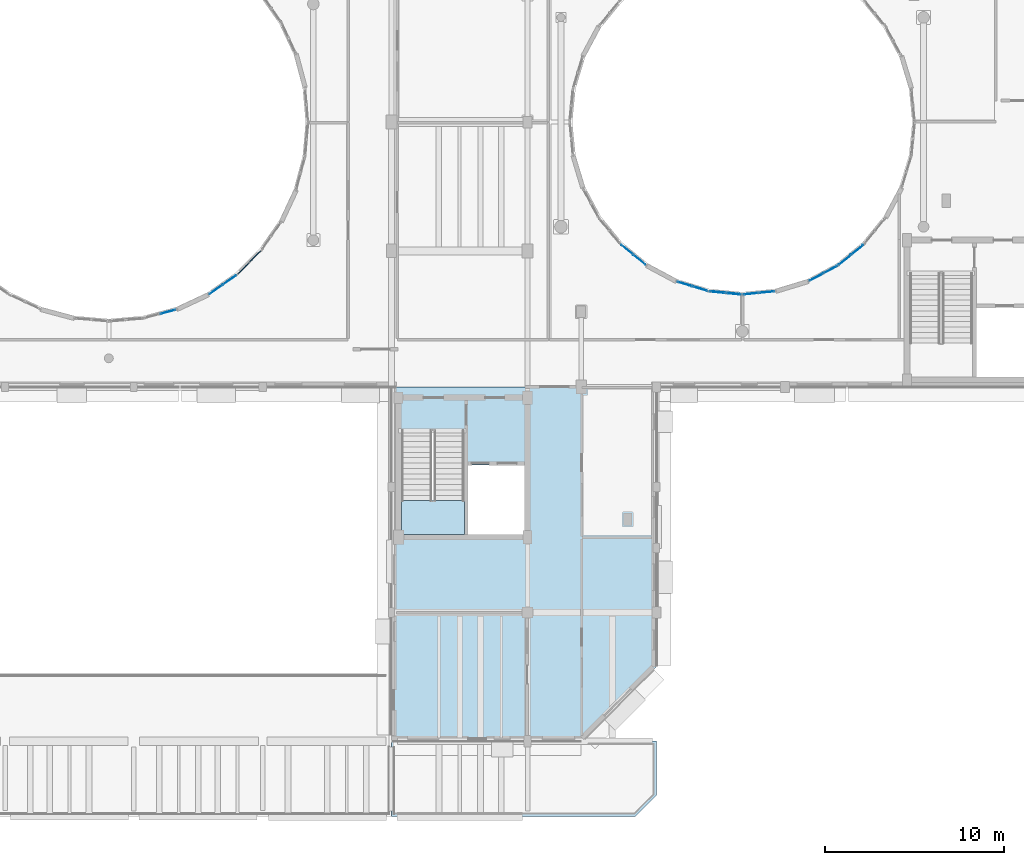
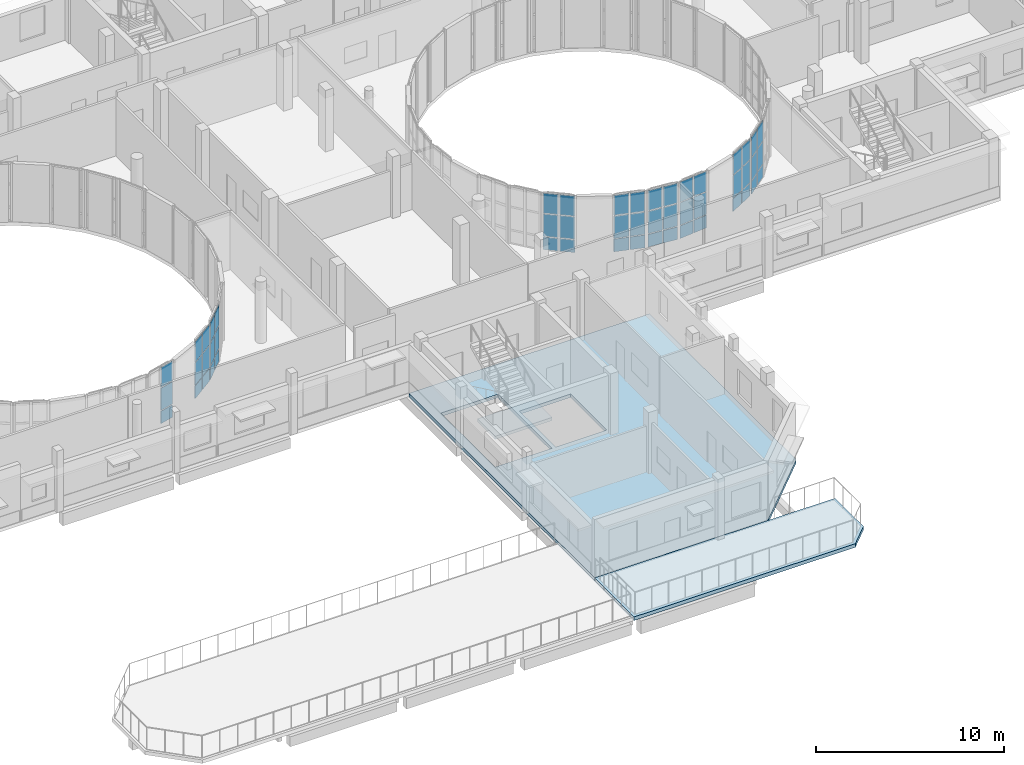
# One storey, part 56 of 92: 51 plates, 3 slabs, 10 elements without a shape of their own.
"""IFC4 building model written with IfcOpenShell, lengths in metres."""

import ifcopenshell
import ifcopenshell.guid

model = None  # the IFC model being written
_history = None  # IfcOwnerHistory: only IFC2X3 demands one
_inside = {}  # id of a spatial element -> (the spatial element, [elements in it])
_under = {}  # id of a project, library or spatial element -> (it, [spatial elements below it])
_declared = {}  # id of a project -> (the project, [libraries it declares])
_typed = {}  # id of a type object -> (the type object, [elements of that type])
_made_of = {}  # id of a material, layer set ... -> (it, [elements and type objects made of it])


def new_model(schema):
    """Start an empty IFC model of exactly this schema.

    Asked for "IFC4X3", IfcOpenShell would pick the latest addendum, in which some entities
    have other attributes; the version numbers below select the first issue.
    IFC2X3 requires an IfcOwnerHistory on every rooted entity: one is made here for all.
    """
    global model, _history
    if schema == "IFC4X3":
        model = ifcopenshell.file(schema_version=(4, 3, 0, 0))
    else:
        model = ifcopenshell.file(schema=schema)
    _inside.clear()
    _under.clear()
    _declared.clear()
    _typed.clear()
    _made_of.clear()
    _history = None
    if model.schema == "IFC2X3":
        org = make("IfcOrganization", Name="unknown")
        user = make(
            "IfcPersonAndOrganization",
            ThePerson=make("IfcPerson", FamilyName="unknown"),
            TheOrganization=org,
        )
        app = make(
            "IfcApplication",
            ApplicationDeveloper=org,
            Version="unknown",
            ApplicationFullName="unknown",
            ApplicationIdentifier="unknown",
        )
        _history = make(
            "IfcOwnerHistory",
            OwningUser=user,
            OwningApplication=app,
            ChangeAction="ADDED",
            CreationDate=0,
        )
    return model


def make(cls, **values):
    """One entity of the class cls with the attributes given. An attribute that is None is left unset."""
    return model.create_entity(
        cls, **{name: value for name, value in values.items() if value is not None}
    )


def rooted(cls, **values):
    """An entity with a GlobalId (a new one), such as an element, a storey or a relation."""
    return make(cls, GlobalId=ifcopenshell.guid.new(), OwnerHistory=_history, **values)


def si_unit(unit_type, name, prefix=None):
    """IfcSIUnit, for example si_unit("LENGTHUNIT", "METRE", prefix="MILLI")."""
    return make("IfcSIUnit", UnitType=unit_type, Prefix=prefix, Name=name)


def assignment(units):
    """IfcUnitAssignment: the units of a project."""
    return None if units is None else make("IfcUnitAssignment", Units=units)


def point(xyz):
    """IfcCartesianPoint."""
    return None if xyz is None else make("IfcCartesianPoint", Coordinates=xyz)


def direction(xyz):
    """IfcDirection."""
    return None if xyz is None else make("IfcDirection", DirectionRatios=xyz)


def frame(location, z_axis=None, x_axis=None):
    """IfcAxis2Placement3D, a coordinate frame: its origin and axes. An axis left out is left unset."""
    return make(
        "IfcAxis2Placement3D",
        Location=point(location),
        Axis=direction(z_axis),
        RefDirection=direction(x_axis),
    )


def frame_2d(location, x_axis=None):
    """IfcAxis2Placement2D, a coordinate frame in the plane: its origin and x axis."""
    return make(
        "IfcAxis2Placement2D", Location=point(location), RefDirection=direction(x_axis)
    )


def origin():
    """The frame at (0, 0, 0) with its axes left unset."""
    return frame((0.0, 0.0, 0.0))


def origin_2d():
    """The frame at (0, 0) in the plane with its x axis left unset."""
    return frame_2d((0.0, 0.0))


def place(relative_to, where):
    """IfcLocalPlacement: puts the frame where relative to a parent placement (None: the world)."""
    return make(
        "IfcLocalPlacement", PlacementRelTo=relative_to, RelativePlacement=where
    )


def context(
    kind, dimensions, precision=None, world=None, true_north=None, identifier=None
):
    """IfcGeometricRepresentationContext, for example the 3D "Model" context."""
    return make(
        "IfcGeometricRepresentationContext",
        ContextIdentifier=identifier,
        ContextType=kind,
        CoordinateSpaceDimension=dimensions,
        Precision=precision,
        WorldCoordinateSystem=world,
        TrueNorth=true_north,
    )


def subcontext(parent, identifier, kind, view, scale=None):
    """IfcGeometricRepresentationSubContext, for example "Body" below "Model"."""
    return make(
        "IfcGeometricRepresentationSubContext",
        ContextIdentifier=identifier,
        ContextType=kind,
        ParentContext=parent,
        TargetScale=scale,
        TargetView=view,
    )


def project(units=None, contexts=None):
    """IfcProject with its units and contexts."""
    return rooted(
        "IfcProject",
        Name="project",
        RepresentationContexts=contexts,
        UnitsInContext=assignment(units),
    )


def spatial(cls, under=None, at=None, **own):
    """A site, building, storey or space (cls), placed at a placement, below another one or the project."""
    s = rooted(cls, ObjectPlacement=at, **own)
    if under is not None:
        _under.setdefault(under.id(), (under, []))[1].append(s)
    return s


def polyline(points):
    """IfcPolyline through the points."""
    return make("IfcPolyline", Points=[point(p) for p in points])


def profile(cls, at=None, kind="AREA", **sizes):
    """A parametric profile (cls). Its sizes go by their IFC names, for example OverallWidth=200.0."""
    return make(cls, ProfileType=kind, Position=at, **sizes)


def rectangle(**sizes):
    """IfcRectangleProfileDef."""
    return profile("IfcRectangleProfileDef", **sizes)


def outline(outer, holes=None, kind="AREA"):
    """IfcArbitraryClosedProfileDef: a profile drawn as a closed curve; with holes, ...WithVoids."""
    if holes is None:
        return make("IfcArbitraryClosedProfileDef", ProfileType=kind, OuterCurve=outer)
    return make(
        "IfcArbitraryProfileDefWithVoids",
        ProfileType=kind,
        OuterCurve=outer,
        InnerCurves=holes,
    )


def extrude(swept, where, along, depth):
    """IfcExtrudedAreaSolid: the profile swept, set in the frame where, extruded along a direction by depth."""
    return make(
        "IfcExtrudedAreaSolid",
        SweptArea=swept,
        Position=where,
        ExtrudedDirection=direction(along),
        Depth=depth,
    )


def shape(context_of_items, identifier, shape_type, items):
    """IfcShapeRepresentation: the items that make up one representation, for example the "Body"."""
    return make(
        "IfcShapeRepresentation",
        ContextOfItems=context_of_items,
        RepresentationIdentifier=identifier,
        RepresentationType=shape_type,
        Items=items,
    )


def material(Name=None, Category=None):
    """IfcMaterial."""
    return make("IfcMaterial", Name=Name, Category=Category)


def layer(
    of_material, thickness, ventilated=None, Name=None, Category=None, Priority=None
):
    """IfcMaterialLayer: one layer of a wall or slab, of a material (None: an air gap)."""
    return make(
        "IfcMaterialLayer",
        Material=of_material,
        LayerThickness=thickness,
        IsVentilated=ventilated,
        Name=Name,
        Category=Category,
        Priority=Priority,
    )


def layer_set(layers, Name=None):
    """IfcMaterialLayerSet."""
    return make("IfcMaterialLayerSet", MaterialLayers=layers, LayerSetName=Name)


def made_of(thing, what):
    """Note that an element or type object is made of a material, layer set ...; save() writes the relation."""
    if what is not None:
        _made_of.setdefault(what.id(), (what, []))[1].append(thing)
    return thing


def type_object(cls, material=None, **own):
    """A type object (cls), such as IfcWallType, which elements share."""
    return made_of(rooted(cls, **own), material)


def element(
    cls,
    number,
    at=None,
    inside=None,
    cuts=None,
    type_object=None,
    material=None,
    context=None,
    identifier="Body",
    shape_type=None,
    held_by="IfcProductDefinitionShape",
    body=None,
    shapes=None,
    **own,
):
    """One element of the class cls, such as IfcWall. Its Tag is "e" and its number.

    at: its placement. inside: the storey or other place that contains it. cuts: it is an
    opening in that element (IfcRelVoidsElement). A single representation is given by context,
    identifier, shape_type and body (its items); several are given by shapes. held_by: the class
    of the entity that holds the representations. save() writes the other relations.
    """
    e = rooted(cls, Tag="e%d" % number, ObjectPlacement=at, **own)
    if body is not None:
        shapes = [shape(context, identifier, shape_type, body)]
    if shapes is not None:
        e.Representation = make(held_by, Representations=shapes)
    if inside is not None:
        _inside.setdefault(inside.id(), (inside, []))[1].append(e)
    if cuts is not None:
        rooted(
            "IfcRelVoidsElement", RelatingBuildingElement=cuts, RelatedOpeningElement=e
        )
    if type_object is not None:
        _typed.setdefault(type_object.id(), (type_object, []))[1].append(e)
    return made_of(e, material)


def aggregate(whole, parts):
    """IfcRelAggregates: a whole, such as a stair, and the parts it consists of."""
    return rooted("IfcRelAggregates", RelatingObject=whole, RelatedObjects=parts)


def save(model, path):
    """Write the relations noted so far, then the file.

    IfcRelAggregates (storeys below a building ...), IfcRelContainedInSpatialStructure (elements
    in a storey), IfcRelDefinesByType, IfcRelAssociatesMaterial and IfcRelDeclares: one each for
    every whole, place, type object, material and project.
    """
    for whole, parts in _under.values():
        aggregate(whole, parts)
    for where, things in _inside.values():
        rooted(
            "IfcRelContainedInSpatialStructure",
            RelatedElements=things,
            RelatingStructure=where,
        )
    for kind, things in _typed.values():
        rooted("IfcRelDefinesByType", RelatedObjects=things, RelatingType=kind)
    for what, things in _made_of.values():
        rooted("IfcRelAssociatesMaterial", RelatedObjects=things, RelatingMaterial=what)
    for by, libraries in _declared.values():
        rooted("IfcRelDeclares", RelatingContext=by, RelatedDefinitions=libraries)
    model.write(path)


model = new_model("IFC4")

# Units and contexts
model_context = context("Model", 3, precision=1e-05, world=origin(), true_north=direction((0.0, 1.0)))
body_context = subcontext(model_context, "Body", "Model", "MODEL_VIEW")
ifc_project = project(units=[si_unit("LENGTHUNIT", "METRE"), si_unit("AREAUNIT", "SQUARE_METRE"), si_unit("VOLUMEUNIT", "CUBIC_METRE"), si_unit("PLANEANGLEUNIT", "RADIAN"), si_unit("MASSUNIT", "GRAM", prefix="KILO")], contexts=[model_context])

# Site, building, storey
site_placement = place(None, origin())
site = spatial("IfcSite", under=ifc_project, at=site_placement, CompositionType="ELEMENT")
building_placement = place(site_placement, origin())
building = spatial("IfcBuilding", under=site, at=building_placement, Name="Kelanivale Promenade Academy", CompositionType="ELEMENT")
storey_placement = place(building_placement, frame((0.0, 0.0, 8.199951171875)))
storey = spatial("IfcBuildingStorey", under=building, at=storey_placement, Name="L02", CompositionType="ELEMENT", Elevation=8.199951171875)

# Curtain wall, plates
ifc_material_1 = material(Name="Bronze anodised aluminium and solar-control low-E glass", Category="aluminium")
ifc_layer_1 = layer(ifc_material_1, 0.169921875)
ifc_layer_set_1 = layer_set([ifc_layer_1], Name="Bronze anodised aluminium and solar-control low-E glass")
curtain_wall_type_1 = type_object("IfcCurtainWallType", Name="CW-22 Curtain Wall 1800mm Module", PredefinedType="USERDEFINED", material=ifc_layer_set_1)
curtain_wall_1_placement = place(storey_placement, origin())
curtain_wall_1 = element("IfcCurtainWall", 1, at=curtain_wall_1_placement, inside=storey, type_object=curtain_wall_type_1, Name="L02 courtyard curtain wall CW-22", ObjectType="COURTYARD SCREEN GLAZING", PredefinedType="USERDEFINED")
ifc_material_2 = material(Name="Solar-control double glazing 28 mm", Category="glass")
ifc_layer_2 = layer(ifc_material_2, 0.028076171875)
ifc_layer_set_2 = layer_set([ifc_layer_2], Name="Solar-control double glazing 28 mm")
plate_type_1 = type_object("IfcPlateType", Name="CWP-01 Plate 28mm", PredefinedType="CURTAIN_PANEL", material=ifc_layer_set_2)
plate_1_placement = place(storey_placement, frame((92.361572265625, 49.671630859375, 0.05029296875), z_axis=(0.0, 0.0, 1.0), x_axis=(0.773257170269, -0.634092539482, 0.0)))
plate_1 = element("IfcPlate", 2, at=plate_1_placement, type_object=plate_type_1, Name="CW-22 panel 1.1", PredefinedType="CURTAIN_PANEL", context=body_context, shape_type="SweptSolid", body=[
    extrude(rectangle(XDim=0.833251953125, YDim=0.028076171875, at=origin_2d()), origin(), (0.0, 0.0, 1.0), 0.824951171875),
])
plate_2_placement = place(storey_placement, frame((92.361572265625, 49.671630859375, 0.92529296875), z_axis=(0.0, 0.0, 1.0), x_axis=(0.773257170269, -0.634092539482, 0.0)))
plate_2 = element("IfcPlate", 3, at=plate_2_placement, type_object=plate_type_1, Name="CW-22 panel 1.2", PredefinedType="CURTAIN_PANEL", context=body_context, shape_type="SweptSolid", body=[
    extrude(rectangle(XDim=0.833251953125, YDim=0.028076171875, at=origin_2d()), origin(), (0.0, 0.0, 1.0), 1.449951171875),
])
plate_3_placement = place(storey_placement, frame((92.361572265625, 49.671630859375, 2.42529296875), z_axis=(0.0, 0.0, 1.0), x_axis=(0.773257170269, -0.634092539482, 0.0)))
plate_3 = element("IfcPlate", 4, at=plate_3_placement, type_object=plate_type_1, Name="CW-22 panel 1.3", PredefinedType="CURTAIN_PANEL", context=body_context, shape_type="SweptSolid", body=[
    extrude(rectangle(XDim=0.833251953125, YDim=0.028076171875, at=origin_2d()), origin(), (0.0, 0.0, 1.0), 1.304931640625),
])
plate_4_placement = place(storey_placement, frame((93.052490234375, 49.105224609375, 0.05029296875), z_axis=(0.0, 0.0, 1.0), x_axis=(0.773257170269, -0.634092539482, 0.0)))
plate_4 = element("IfcPlate", 5, at=plate_4_placement, type_object=plate_type_1, Name="CW-22 panel 2.1", PredefinedType="CURTAIN_PANEL", context=body_context, shape_type="SweptSolid", body=[
    extrude(rectangle(XDim=0.833251953125, YDim=0.028076171875, at=origin_2d()), origin(), (0.0, 0.0, 1.0), 0.824951171875),
])
plate_5_placement = place(storey_placement, frame((93.052490234375, 49.105224609375, 0.92529296875), z_axis=(0.0, 0.0, 1.0), x_axis=(0.773257170269, -0.634092539482, 0.0)))
plate_5 = element("IfcPlate", 6, at=plate_5_placement, type_object=plate_type_1, Name="CW-22 panel 2.2", PredefinedType="CURTAIN_PANEL", context=body_context, shape_type="SweptSolid", body=[
    extrude(rectangle(XDim=0.833251953125, YDim=0.028076171875, at=origin_2d()), origin(), (0.0, 0.0, 1.0), 1.449951171875),
])
plate_6_placement = place(storey_placement, frame((93.052490234375, 49.105224609375, 2.42529296875), z_axis=(0.0, 0.0, 1.0), x_axis=(0.773257170269, -0.634092539482, 0.0)))
plate_6 = element("IfcPlate", 7, at=plate_6_placement, type_object=plate_type_1, Name="CW-22 panel 2.3", PredefinedType="CURTAIN_PANEL", context=body_context, shape_type="SweptSolid", body=[
    extrude(rectangle(XDim=0.833251953125, YDim=0.028076171875, at=origin_2d()), origin(), (0.0, 0.0, 1.0), 1.304931640625),
])
aggregate(curtain_wall_1, [plate_1, plate_2, plate_3, plate_4, plate_5, plate_6])

ifc_layer_3 = layer(ifc_material_1, 0.169921875)
ifc_layer_set_3 = layer_set([ifc_layer_3], Name="Bronze anodised aluminium and solar-control low-E glass")
curtain_wall_type_2 = type_object("IfcCurtainWallType", Name="CW-01 Curtain Wall 1350mm Module", PredefinedType="USERDEFINED", material=ifc_layer_set_3)
curtain_wall_2_placement = place(storey_placement, origin())
curtain_wall_2 = element("IfcCurtainWall", 8, at=curtain_wall_2_placement, inside=storey, type_object=curtain_wall_type_2, Name="L02 courtyard curtain wall CW-01", ObjectType="UNITISED GLAZING", PredefinedType="USERDEFINED")
plate_7_placement = place(storey_placement, frame((99.288330078125, 47.2080078125, 0.05029296875), z_axis=(0.0, 0.0, 1.0), x_axis=(0.99513321337, 0.098538762159, 0.0)))
plate_7 = element("IfcPlate", 9, at=plate_7_placement, type_object=plate_type_1, Name="CW-01 panel 1.1", PredefinedType="CURTAIN_PANEL", context=body_context, shape_type="SweptSolid", body=[
    extrude(rectangle(XDim=0.83349609375, YDim=0.028076171875, at=origin_2d()), origin(), (0.0, 0.0, 1.0), 0.824951171875),
])
plate_8_placement = place(storey_placement, frame((99.288330078125, 47.2080078125, 0.92529296875), z_axis=(0.0, 0.0, 1.0), x_axis=(0.99513321337, 0.098538762159, 0.0)))
plate_8 = element("IfcPlate", 10, at=plate_8_placement, type_object=plate_type_1, Name="CW-01 panel 1.2", PredefinedType="CURTAIN_PANEL", context=body_context, shape_type="SweptSolid", body=[
    extrude(rectangle(XDim=0.83349609375, YDim=0.028076171875, at=origin_2d()), origin(), (0.0, 0.0, 1.0), 1.449951171875),
])
plate_9_placement = place(storey_placement, frame((99.288330078125, 47.2080078125, 2.42529296875), z_axis=(0.0, 0.0, 1.0), x_axis=(0.99513321337, 0.098538762159, 0.0)))
plate_9 = element("IfcPlate", 11, at=plate_9_placement, type_object=plate_type_1, Name="CW-01 panel 1.3", PredefinedType="CURTAIN_PANEL", context=body_context, shape_type="SweptSolid", body=[
    extrude(rectangle(XDim=0.83349609375, YDim=0.028076171875, at=origin_2d()), origin(), (0.0, 0.0, 1.0), 1.304931640625),
])
plate_10_placement = place(storey_placement, frame((100.177490234375, 47.296142578125, 0.05029296875), z_axis=(0.0, 0.0, 1.0), x_axis=(0.99513321337, 0.098538762159, 0.0)))
plate_10 = element("IfcPlate", 12, at=plate_10_placement, type_object=plate_type_1, Name="CW-01 panel 2.1", PredefinedType="CURTAIN_PANEL", context=body_context, shape_type="SweptSolid", body=[
    extrude(rectangle(XDim=0.83349609375, YDim=0.028076171875, at=origin_2d()), origin(), (0.0, 0.0, 1.0), 0.824951171875),
])
plate_11_placement = place(storey_placement, frame((100.177490234375, 47.296142578125, 0.92529296875), z_axis=(0.0, 0.0, 1.0), x_axis=(0.99513321337, 0.098538762159, 0.0)))
plate_11 = element("IfcPlate", 13, at=plate_11_placement, type_object=plate_type_1, Name="CW-01 panel 2.2", PredefinedType="CURTAIN_PANEL", context=body_context, shape_type="SweptSolid", body=[
    extrude(rectangle(XDim=0.83349609375, YDim=0.028076171875, at=origin_2d()), origin(), (0.0, 0.0, 1.0), 1.449951171875),
])
plate_12_placement = place(storey_placement, frame((100.177490234375, 47.296142578125, 2.42529296875), z_axis=(0.0, 0.0, 1.0), x_axis=(0.99513321337, 0.098538762159, 0.0)))
plate_12 = element("IfcPlate", 14, at=plate_12_placement, type_object=plate_type_1, Name="CW-01 panel 2.3", PredefinedType="CURTAIN_PANEL", context=body_context, shape_type="SweptSolid", body=[
    extrude(rectangle(XDim=0.83349609375, YDim=0.028076171875, at=origin_2d()), origin(), (0.0, 0.0, 1.0), 1.304931640625),
])
aggregate(curtain_wall_2, [plate_7, plate_8, plate_9, plate_10, plate_11, plate_12])

ifc_layer_4 = layer(ifc_material_1, 0.169921875)
ifc_layer_set_4 = layer_set([ifc_layer_4], Name="Bronze anodised aluminium and solar-control low-E glass")
curtain_wall_type_3 = type_object("IfcCurtainWallType", Name="CW-04 Curtain Wall 1800mm Module", PredefinedType="USERDEFINED", material=ifc_layer_set_4)
curtain_wall_3_placement = place(storey_placement, origin())
curtain_wall_3 = element("IfcCurtainWall", 15, at=curtain_wall_3_placement, inside=storey, type_object=curtain_wall_type_3, Name="L02 courtyard curtain wall CW-04", ObjectType="UNITISED GLAZING", PredefinedType="USERDEFINED")
plate_13_placement = place(storey_placement, frame((66.708740234375, 46.19677734375, 0.06005859375), z_axis=(0.0, 0.0, 1.0), x_axis=(0.965990259056, 0.258578458902, 0.0)))
plate_13 = element("IfcPlate", 16, at=plate_13_placement, type_object=plate_type_1, Name="CW-04 panel 2.1", PredefinedType="CURTAIN_PANEL", context=body_context, shape_type="SweptSolid", body=[
    extrude(rectangle(XDim=0.853759765625, YDim=0.028076171875, at=origin_2d()), origin(), (0.0, 0.0, 1.0), 0.81005859375),
])
plate_14_placement = place(storey_placement, frame((66.708740234375, 46.19677734375, 0.93017578125), z_axis=(0.0, 0.0, 1.0), x_axis=(0.965990259056, 0.258578458902, 0.0)))
plate_14 = element("IfcPlate", 17, at=plate_14_placement, type_object=plate_type_1, Name="CW-04 panel 2.2", PredefinedType="CURTAIN_PANEL", context=body_context, shape_type="SweptSolid", body=[
    extrude(rectangle(XDim=0.853759765625, YDim=0.028076171875, at=origin_2d()), origin(), (0.0, 0.0, 1.0), 1.43994140625),
])
plate_15_placement = place(storey_placement, frame((66.708740234375, 46.19677734375, 2.429931640625), z_axis=(0.0, 0.0, 1.0), x_axis=(0.965990259056, 0.258578458902, 0.0)))
plate_15 = element("IfcPlate", 18, at=plate_15_placement, type_object=plate_type_1, Name="CW-04 panel 2.3", PredefinedType="CURTAIN_PANEL", context=body_context, shape_type="SweptSolid", body=[
    extrude(rectangle(XDim=0.853759765625, YDim=0.028076171875, at=origin_2d()), origin(), (0.0, 0.0, 1.0), 1.2900390625),
])
aggregate(curtain_wall_3, [plate_13, plate_14, plate_15])

ifc_layer_5 = layer(ifc_material_1, 0.179931640625)
ifc_layer_set_5 = layer_set([ifc_layer_5], Name="Bronze anodised aluminium and solar-control low-E glass")
curtain_wall_type_4 = type_object("IfcCurtainWallType", Name="CW-23 Curtain Wall 1950mm Module", PredefinedType="USERDEFINED", material=ifc_layer_set_5)
curtain_wall_4_placement = place(storey_placement, origin())
curtain_wall_4 = element("IfcCurtainWall", 19, at=curtain_wall_4_placement, inside=storey, type_object=curtain_wall_type_4, Name="L02 courtyard curtain wall CW-23", ObjectType="COURTYARD SCREEN GLAZING", PredefinedType="USERDEFINED")
ifc_material_3 = material(Name="Acoustic laminated double glazing 36 mm", Category="glass")
ifc_layer_6 = layer(ifc_material_3, 0.035888671875)
ifc_layer_set_6 = layer_set([ifc_layer_6], Name="Acoustic laminated double glazing 36 mm")
plate_type_2 = type_object("IfcPlateType", Name="CWP-02 Plate 36mm", PredefinedType="CURTAIN_PANEL", material=ifc_layer_set_6)
plate_16_placement = place(storey_placement, frame((95.595458984375, 47.746337890625, 0.05029296875), z_axis=(0.0, 0.0, 1.0), x_axis=(0.956987977524, -0.290127576893, 0.0)))
plate_16 = element("IfcPlate", 20, at=plate_16_placement, type_object=plate_type_2, Name="CW-23 panel 1.1", PredefinedType="CURTAIN_PANEL", context=body_context, shape_type="SweptSolid", body=[
    extrude(rectangle(XDim=0.826171875, YDim=0.035888671875, at=origin_2d()), origin(), (0.0, 0.0, 1.0), 0.824951171875),
])
plate_17_placement = place(storey_placement, frame((95.595458984375, 47.746337890625, 0.92529296875), z_axis=(0.0, 0.0, 1.0), x_axis=(0.956987977524, -0.290127576893, 0.0)))
plate_17 = element("IfcPlate", 21, at=plate_17_placement, type_object=plate_type_2, Name="CW-23 panel 1.2", PredefinedType="CURTAIN_PANEL", context=body_context, shape_type="SweptSolid", body=[
    extrude(rectangle(XDim=0.826171875, YDim=0.035888671875, at=origin_2d()), origin(), (0.0, 0.0, 1.0), 1.449951171875),
])
plate_18_placement = place(storey_placement, frame((95.595458984375, 47.746337890625, 2.42529296875), z_axis=(0.0, 0.0, 1.0), x_axis=(0.956987977524, -0.290127576893, 0.0)))
plate_18 = element("IfcPlate", 22, at=plate_18_placement, type_object=plate_type_2, Name="CW-23 panel 1.3", PredefinedType="CURTAIN_PANEL", context=body_context, shape_type="SweptSolid", body=[
    extrude(rectangle(XDim=0.826171875, YDim=0.035888671875, at=origin_2d()), origin(), (0.0, 0.0, 1.0), 1.304931640625),
])
plate_19_placement = place(storey_placement, frame((96.448486328125, 47.48779296875, 0.05029296875), z_axis=(0.0, 0.0, 1.0), x_axis=(0.956987977524, -0.290127576893, 0.0)))
plate_19 = element("IfcPlate", 23, at=plate_19_placement, type_object=plate_type_2, Name="CW-23 panel 2.1", PredefinedType="CURTAIN_PANEL", context=body_context, shape_type="SweptSolid", body=[
    extrude(rectangle(XDim=0.826171875, YDim=0.035888671875, at=origin_2d()), origin(), (0.0, 0.0, 1.0), 0.824951171875),
])
plate_20_placement = place(storey_placement, frame((96.448486328125, 47.48779296875, 0.92529296875), z_axis=(0.0, 0.0, 1.0), x_axis=(0.956987977524, -0.290127576893, 0.0)))
plate_20 = element("IfcPlate", 24, at=plate_20_placement, type_object=plate_type_2, Name="CW-23 panel 2.2", PredefinedType="CURTAIN_PANEL", context=body_context, shape_type="SweptSolid", body=[
    extrude(rectangle(XDim=0.826171875, YDim=0.035888671875, at=origin_2d()), origin(), (0.0, 0.0, 1.0), 1.449951171875),
])
plate_21_placement = place(storey_placement, frame((96.448486328125, 47.48779296875, 2.42529296875), z_axis=(0.0, 0.0, 1.0), x_axis=(0.956987977524, -0.290127576893, 0.0)))
plate_21 = element("IfcPlate", 25, at=plate_21_placement, type_object=plate_type_2, Name="CW-23 panel 2.3", PredefinedType="CURTAIN_PANEL", context=body_context, shape_type="SweptSolid", body=[
    extrude(rectangle(XDim=0.826171875, YDim=0.035888671875, at=origin_2d()), origin(), (0.0, 0.0, 1.0), 1.304931640625),
])
aggregate(curtain_wall_4, [plate_16, plate_17, plate_18, plate_19, plate_20, plate_21])

ifc_layer_7 = layer(ifc_material_1, 0.179931640625)
ifc_layer_set_7 = layer_set([ifc_layer_7], Name="Bronze anodised aluminium and solar-control low-E glass")
curtain_wall_type_5 = type_object("IfcCurtainWallType", Name="CW-02 Curtain Wall 1500mm Module", PredefinedType="USERDEFINED", material=ifc_layer_set_7)
curtain_wall_5_placement = place(storey_placement, origin())
curtain_wall_5 = element("IfcCurtainWall", 26, at=curtain_wall_5_placement, inside=storey, type_object=curtain_wall_type_5, Name="L02 courtyard curtain wall CW-02", ObjectType="UNITISED GLAZING", PredefinedType="USERDEFINED")
plate_22_placement = place(storey_placement, frame((102.934814453125, 48.1318359375, 0.05029296875), z_axis=(0.0, 0.0, 1.0), x_axis=(0.881978204448, 0.471290193914, 0.0)))
plate_22 = element("IfcPlate", 27, at=plate_22_placement, type_object=plate_type_2, Name="CW-02 panel 1.1", PredefinedType="CURTAIN_PANEL", context=body_context, shape_type="SweptSolid", body=[
    extrude(rectangle(XDim=0.833984375, YDim=0.035888671875, at=origin_2d()), origin(), (0.0, 0.0, 1.0), 0.824951171875),
])
plate_23_placement = place(storey_placement, frame((102.934814453125, 48.1318359375, 0.92529296875), z_axis=(0.0, 0.0, 1.0), x_axis=(0.881978204448, 0.471290193914, 0.0)))
plate_23 = element("IfcPlate", 28, at=plate_23_placement, type_object=plate_type_2, Name="CW-02 panel 1.2", PredefinedType="CURTAIN_PANEL", context=body_context, shape_type="SweptSolid", body=[
    extrude(rectangle(XDim=0.833984375, YDim=0.035888671875, at=origin_2d()), origin(), (0.0, 0.0, 1.0), 1.449951171875),
])
plate_24_placement = place(storey_placement, frame((102.934814453125, 48.1318359375, 2.42529296875), z_axis=(0.0, 0.0, 1.0), x_axis=(0.881978204448, 0.471290193914, 0.0)))
plate_24 = element("IfcPlate", 29, at=plate_24_placement, type_object=plate_type_2, Name="CW-02 panel 1.3", PredefinedType="CURTAIN_PANEL", context=body_context, shape_type="SweptSolid", body=[
    extrude(rectangle(XDim=0.833984375, YDim=0.035888671875, at=origin_2d()), origin(), (0.0, 0.0, 1.0), 1.304931640625),
])
plate_25_placement = place(storey_placement, frame((103.723388671875, 48.55322265625, 0.05029296875), z_axis=(0.0, 0.0, 1.0), x_axis=(0.881978204448, 0.471290193914, 0.0)))
plate_25 = element("IfcPlate", 30, at=plate_25_placement, type_object=plate_type_2, Name="CW-02 panel 2.1", PredefinedType="CURTAIN_PANEL", context=body_context, shape_type="SweptSolid", body=[
    extrude(rectangle(XDim=0.833984375, YDim=0.035888671875, at=origin_2d()), origin(), (0.0, 0.0, 1.0), 0.824951171875),
])
plate_26_placement = place(storey_placement, frame((103.723388671875, 48.55322265625, 0.92529296875), z_axis=(0.0, 0.0, 1.0), x_axis=(0.881978204448, 0.471290193914, 0.0)))
plate_26 = element("IfcPlate", 31, at=plate_26_placement, type_object=plate_type_2, Name="CW-02 panel 2.2", PredefinedType="CURTAIN_PANEL", context=body_context, shape_type="SweptSolid", body=[
    extrude(rectangle(XDim=0.833984375, YDim=0.035888671875, at=origin_2d()), origin(), (0.0, 0.0, 1.0), 1.449951171875),
])
plate_27_placement = place(storey_placement, frame((103.723388671875, 48.55322265625, 2.42529296875), z_axis=(0.0, 0.0, 1.0), x_axis=(0.881978204448, 0.471290193914, 0.0)))
plate_27 = element("IfcPlate", 32, at=plate_27_placement, type_object=plate_type_2, Name="CW-02 panel 2.3", PredefinedType="CURTAIN_PANEL", context=body_context, shape_type="SweptSolid", body=[
    extrude(rectangle(XDim=0.833984375, YDim=0.035888671875, at=origin_2d()), origin(), (0.0, 0.0, 1.0), 1.304931640625),
])
aggregate(curtain_wall_5, [plate_22, plate_23, plate_24, plate_25, plate_26, plate_27])

ifc_layer_8 = layer(ifc_material_1, 0.179931640625)
ifc_layer_set_8 = layer_set([ifc_layer_8], Name="Bronze anodised aluminium and solar-control low-E glass")
curtain_wall_type_6 = type_object("IfcCurtainWallType", Name="CW-05 Curtain Wall 1950mm Module", PredefinedType="USERDEFINED", material=ifc_layer_set_8)
curtain_wall_6_placement = place(storey_placement, origin())
curtain_wall_6 = element("IfcCurtainWall", 33, at=curtain_wall_6_placement, inside=storey, type_object=curtain_wall_type_6, Name="L02 courtyard curtain wall CW-05", ObjectType="UNITISED GLAZING", PredefinedType="USERDEFINED")
plate_28_placement = place(storey_placement, frame((69.39404296875, 47.449462890625, 0.05029296875), z_axis=(0.0, 0.0, 1.0), x_axis=(0.819305982099, 0.573356527561, 0.0)))
plate_28 = element("IfcPlate", 34, at=plate_28_placement, type_object=plate_type_2, Name="CW-05 panel 1.1", PredefinedType="CURTAIN_PANEL", context=body_context, shape_type="SweptSolid", body=[
    extrude(rectangle(XDim=0.861328125, YDim=0.035888671875, at=origin_2d()), origin(), (0.0, 0.0, 1.0), 0.824951171875),
])
plate_29_placement = place(storey_placement, frame((69.39404296875, 47.449462890625, 0.92529296875), z_axis=(0.0, 0.0, 1.0), x_axis=(0.819305982099, 0.573356527561, 0.0)))
plate_29 = element("IfcPlate", 35, at=plate_29_placement, type_object=plate_type_2, Name="CW-05 panel 1.2", PredefinedType="CURTAIN_PANEL", context=body_context, shape_type="SweptSolid", body=[
    extrude(rectangle(XDim=0.861328125, YDim=0.035888671875, at=origin_2d()), origin(), (0.0, 0.0, 1.0), 1.449951171875),
])
plate_30_placement = place(storey_placement, frame((69.39404296875, 47.449462890625, 2.42529296875), z_axis=(0.0, 0.0, 1.0), x_axis=(0.819305982099, 0.573356527561, 0.0)))
plate_30 = element("IfcPlate", 36, at=plate_30_placement, type_object=plate_type_2, Name="CW-05 panel 1.3", PredefinedType="CURTAIN_PANEL", context=body_context, shape_type="SweptSolid", body=[
    extrude(rectangle(XDim=0.861328125, YDim=0.035888671875, at=origin_2d()), origin(), (0.0, 0.0, 1.0), 1.304931640625),
])
plate_31_placement = place(storey_placement, frame((70.14892578125, 47.9775390625, 0.05029296875), z_axis=(0.0, 0.0, 1.0), x_axis=(0.819305982099, 0.573356527561, 0.0)))
plate_31 = element("IfcPlate", 37, at=plate_31_placement, type_object=plate_type_2, Name="CW-05 panel 2.1", PredefinedType="CURTAIN_PANEL", context=body_context, shape_type="SweptSolid", body=[
    extrude(rectangle(XDim=0.861328125, YDim=0.035888671875, at=origin_2d()), origin(), (0.0, 0.0, 1.0), 0.824951171875),
])
plate_32_placement = place(storey_placement, frame((70.14892578125, 47.9775390625, 0.92529296875), z_axis=(0.0, 0.0, 1.0), x_axis=(0.819305982099, 0.573356527561, 0.0)))
plate_32 = element("IfcPlate", 38, at=plate_32_placement, type_object=plate_type_2, Name="CW-05 panel 2.2", PredefinedType="CURTAIN_PANEL", context=body_context, shape_type="SweptSolid", body=[
    extrude(rectangle(XDim=0.861328125, YDim=0.035888671875, at=origin_2d()), origin(), (0.0, 0.0, 1.0), 1.449951171875),
])
plate_33_placement = place(storey_placement, frame((70.14892578125, 47.9775390625, 2.42529296875), z_axis=(0.0, 0.0, 1.0), x_axis=(0.819305982099, 0.573356527561, 0.0)))
plate_33 = element("IfcPlate", 39, at=plate_33_placement, type_object=plate_type_2, Name="CW-05 panel 2.3", PredefinedType="CURTAIN_PANEL", context=body_context, shape_type="SweptSolid", body=[
    extrude(rectangle(XDim=0.861328125, YDim=0.035888671875, at=origin_2d()), origin(), (0.0, 0.0, 1.0), 1.304931640625),
])
aggregate(curtain_wall_6, [plate_28, plate_29, plate_30, plate_31, plate_32, plate_33])

ifc_layer_9 = layer(ifc_material_1, 0.159912109375)
ifc_layer_set_9 = layer_set([ifc_layer_9], Name="Bronze anodised aluminium and solar-control low-E glass")
curtain_wall_type_7 = type_object("IfcCurtainWallType", Name="CW-24 Curtain Wall 1200mm Module", PredefinedType="USERDEFINED", material=ifc_layer_set_9)
curtain_wall_7_placement = place(storey_placement, origin())
curtain_wall_7 = element("IfcCurtainWall", 40, at=curtain_wall_7_placement, inside=storey, type_object=curtain_wall_type_7, Name="L02 courtyard curtain wall CW-24", ObjectType="COURTYARD SCREEN GLAZING", PredefinedType="USERDEFINED")
ifc_material_4 = material(Name="Insulated bronze aluminium spandrel panel 44 mm", Category="aluminium")
ifc_layer_10 = layer(ifc_material_4, 0.0439453125)
ifc_layer_set_10 = layer_set([ifc_layer_10], Name="Insulated bronze aluminium spandrel panel 44 mm")
plate_type_3 = type_object("IfcPlateType", Name="CWP-03 Plate 44mm", PredefinedType="CURTAIN_PANEL", material=ifc_layer_set_10)
plate_34_placement = place(storey_placement, frame((97.412353515625, 47.296630859375, 0.06005859375), z_axis=(0.0, 0.0, 1.0), x_axis=(0.995158737767, -0.098280652454, 0.0)))
plate_34 = element("IfcPlate", 41, at=plate_34_placement, type_object=plate_type_3, Name="CW-24 panel 1.1", PredefinedType="CURTAIN_PANEL", context=body_context, shape_type="SweptSolid", body=[
    extrude(rectangle(XDim=0.83349609375, YDim=0.0439453125, at=origin_2d()), origin(), (0.0, 0.0, 1.0), 0.81005859375),
])
plate_35_placement = place(storey_placement, frame((97.412353515625, 47.296630859375, 0.93017578125), z_axis=(0.0, 0.0, 1.0), x_axis=(0.995158737767, -0.098280652454, 0.0)))
plate_35 = element("IfcPlate", 42, at=plate_35_placement, type_object=plate_type_3, Name="CW-24 panel 1.2", PredefinedType="CURTAIN_PANEL", context=body_context, shape_type="SweptSolid", body=[
    extrude(rectangle(XDim=0.83349609375, YDim=0.0439453125, at=origin_2d()), origin(), (0.0, 0.0, 1.0), 1.43994140625),
])
plate_36_placement = place(storey_placement, frame((97.412353515625, 47.296630859375, 2.429931640625), z_axis=(0.0, 0.0, 1.0), x_axis=(0.995158737767, -0.098280652454, 0.0)))
plate_36 = element("IfcPlate", 43, at=plate_36_placement, type_object=plate_type_3, Name="CW-24 panel 1.3", PredefinedType="CURTAIN_PANEL", context=body_context, shape_type="SweptSolid", body=[
    extrude(rectangle(XDim=0.83349609375, YDim=0.0439453125, at=origin_2d()), origin(), (0.0, 0.0, 1.0), 1.2900390625),
])
plate_37_placement = place(storey_placement, frame((98.306640625, 47.208251953125, 0.06005859375), z_axis=(0.0, 0.0, 1.0), x_axis=(0.995158737767, -0.098280652454, 0.0)))
plate_37 = element("IfcPlate", 44, at=plate_37_placement, type_object=plate_type_3, Name="CW-24 panel 2.1", PredefinedType="CURTAIN_PANEL", context=body_context, shape_type="SweptSolid", body=[
    extrude(rectangle(XDim=0.83349609375, YDim=0.0439453125, at=origin_2d()), origin(), (0.0, 0.0, 1.0), 0.81005859375),
])
plate_38_placement = place(storey_placement, frame((98.306640625, 47.208251953125, 0.93017578125), z_axis=(0.0, 0.0, 1.0), x_axis=(0.995158737767, -0.098280652454, 0.0)))
plate_38 = element("IfcPlate", 45, at=plate_38_placement, type_object=plate_type_3, Name="CW-24 panel 2.2", PredefinedType="CURTAIN_PANEL", context=body_context, shape_type="SweptSolid", body=[
    extrude(rectangle(XDim=0.83349609375, YDim=0.0439453125, at=origin_2d()), origin(), (0.0, 0.0, 1.0), 1.43994140625),
])
plate_39_placement = place(storey_placement, frame((98.306640625, 47.208251953125, 2.429931640625), z_axis=(0.0, 0.0, 1.0), x_axis=(0.995158737767, -0.098280652454, 0.0)))
plate_39 = element("IfcPlate", 46, at=plate_39_placement, type_object=plate_type_3, Name="CW-24 panel 2.3", PredefinedType="CURTAIN_PANEL", context=body_context, shape_type="SweptSolid", body=[
    extrude(rectangle(XDim=0.83349609375, YDim=0.0439453125, at=origin_2d()), origin(), (0.0, 0.0, 1.0), 1.2900390625),
])
aggregate(curtain_wall_7, [plate_34, plate_35, plate_36, plate_37, plate_38, plate_39])

ifc_layer_11 = layer(ifc_material_1, 0.159912109375)
ifc_layer_set_11 = layer_set([ifc_layer_11], Name="Bronze anodised aluminium and solar-control low-E glass")
curtain_wall_type_8 = type_object("IfcCurtainWallType", Name="CW-03 Curtain Wall 1650mm Module", PredefinedType="USERDEFINED", material=ifc_layer_set_11)
curtain_wall_8_placement = place(storey_placement, origin())
curtain_wall_8 = element("IfcCurtainWall", 47, at=curtain_wall_8_placement, inside=storey, type_object=curtain_wall_type_8, Name="L02 courtyard curtain wall CW-03", ObjectType="UNITISED GLAZING", PredefinedType="USERDEFINED")
plate_40_placement = place(storey_placement, frame((104.53955078125, 49.0986328125, 0.05029296875), z_axis=(0.0, 0.0, 1.0), x_axis=(0.773215132597, 0.634143799719, 0.0)))
plate_40 = element("IfcPlate", 48, at=plate_40_placement, type_object=plate_type_3, Name="CW-03 panel 1.1", PredefinedType="CURTAIN_PANEL", context=body_context, shape_type="SweptSolid", body=[
    extrude(rectangle(XDim=0.833740234375, YDim=0.0439453125, at=origin_2d()), origin(), (0.0, 0.0, 1.0), 0.824951171875),
])
plate_41_placement = place(storey_placement, frame((104.53955078125, 49.0986328125, 0.92529296875), z_axis=(0.0, 0.0, 1.0), x_axis=(0.773215132597, 0.634143799719, 0.0)))
plate_41 = element("IfcPlate", 49, at=plate_41_placement, type_object=plate_type_3, Name="CW-03 panel 1.2", PredefinedType="CURTAIN_PANEL", context=body_context, shape_type="SweptSolid", body=[
    extrude(rectangle(XDim=0.833740234375, YDim=0.0439453125, at=origin_2d()), origin(), (0.0, 0.0, 1.0), 1.449951171875),
])
plate_42_placement = place(storey_placement, frame((104.53955078125, 49.0986328125, 2.42529296875), z_axis=(0.0, 0.0, 1.0), x_axis=(0.773215132597, 0.634143799719, 0.0)))
plate_42 = element("IfcPlate", 50, at=plate_42_placement, type_object=plate_type_3, Name="CW-03 panel 1.3", PredefinedType="CURTAIN_PANEL", context=body_context, shape_type="SweptSolid", body=[
    extrude(rectangle(XDim=0.833740234375, YDim=0.0439453125, at=origin_2d()), origin(), (0.0, 0.0, 1.0), 1.304931640625),
])
plate_43_placement = place(storey_placement, frame((105.234375, 49.66845703125, 0.05029296875), z_axis=(0.0, 0.0, 1.0), x_axis=(0.773215132597, 0.634143799719, 0.0)))
plate_43 = element("IfcPlate", 51, at=plate_43_placement, type_object=plate_type_3, Name="CW-03 panel 2.1", PredefinedType="CURTAIN_PANEL", context=body_context, shape_type="SweptSolid", body=[
    extrude(rectangle(XDim=0.833740234375, YDim=0.0439453125, at=origin_2d()), origin(), (0.0, 0.0, 1.0), 0.824951171875),
])
plate_44_placement = place(storey_placement, frame((105.234375, 49.66845703125, 0.92529296875), z_axis=(0.0, 0.0, 1.0), x_axis=(0.773215132597, 0.634143799719, 0.0)))
plate_44 = element("IfcPlate", 52, at=plate_44_placement, type_object=plate_type_3, Name="CW-03 panel 2.2", PredefinedType="CURTAIN_PANEL", context=body_context, shape_type="SweptSolid", body=[
    extrude(rectangle(XDim=0.833740234375, YDim=0.0439453125, at=origin_2d()), origin(), (0.0, 0.0, 1.0), 1.449951171875),
])
plate_45_placement = place(storey_placement, frame((105.234375, 49.66845703125, 2.42529296875), z_axis=(0.0, 0.0, 1.0), x_axis=(0.773215132597, 0.634143799719, 0.0)))
plate_45 = element("IfcPlate", 53, at=plate_45_placement, type_object=plate_type_3, Name="CW-03 panel 2.3", PredefinedType="CURTAIN_PANEL", context=body_context, shape_type="SweptSolid", body=[
    extrude(rectangle(XDim=0.833740234375, YDim=0.0439453125, at=origin_2d()), origin(), (0.0, 0.0, 1.0), 1.304931640625),
])
aggregate(curtain_wall_8, [plate_40, plate_41, plate_42, plate_43, plate_44, plate_45])

ifc_layer_12 = layer(ifc_material_1, 0.159912109375)
ifc_layer_set_12 = layer_set([ifc_layer_12], Name="Bronze anodised aluminium and solar-control low-E glass")
curtain_wall_type_9 = type_object("IfcCurtainWallType", Name="CW-06 Curtain Wall 1200mm Module", PredefinedType="USERDEFINED", material=ifc_layer_set_12)
curtain_wall_9_placement = place(storey_placement, origin())
curtain_wall_9 = element("IfcCurtainWall", 54, at=curtain_wall_9_placement, inside=storey, type_object=curtain_wall_type_9, Name="L02 courtyard curtain wall CW-06", ObjectType="UNITISED GLAZING", PredefinedType="USERDEFINED")
plate_46_placement = place(storey_placement, frame((70.91943359375, 48.624267578125, 0.05029296875), z_axis=(0.0, 0.0, 1.0), x_axis=(0.707106781187, 0.707106781187, 0.0)))
plate_46 = element("IfcPlate", 55, at=plate_46_placement, type_object=plate_type_3, Name="CW-06 panel 1.1", PredefinedType="CURTAIN_PANEL", context=body_context, shape_type="SweptSolid", body=[
    extrude(rectangle(XDim=0.8681640625, YDim=0.0439453125, at=origin_2d()), origin(), (0.0, 0.0, 1.0), 0.824951171875),
])
plate_47_placement = place(storey_placement, frame((70.91943359375, 48.624267578125, 0.92529296875), z_axis=(0.0, 0.0, 1.0), x_axis=(0.707106781187, 0.707106781187, 0.0)))
plate_47 = element("IfcPlate", 56, at=plate_47_placement, type_object=plate_type_3, Name="CW-06 panel 1.2", PredefinedType="CURTAIN_PANEL", context=body_context, shape_type="SweptSolid", body=[
    extrude(rectangle(XDim=0.8681640625, YDim=0.0439453125, at=origin_2d()), origin(), (0.0, 0.0, 1.0), 1.449951171875),
])
plate_48_placement = place(storey_placement, frame((70.91943359375, 48.624267578125, 2.42529296875), z_axis=(0.0, 0.0, 1.0), x_axis=(0.707106781187, 0.707106781187, 0.0)))
plate_48 = element("IfcPlate", 57, at=plate_48_placement, type_object=plate_type_3, Name="CW-06 panel 1.3", PredefinedType="CURTAIN_PANEL", context=body_context, shape_type="SweptSolid", body=[
    extrude(rectangle(XDim=0.8681640625, YDim=0.0439453125, at=origin_2d()), origin(), (0.0, 0.0, 1.0), 1.304931640625),
])
plate_49_placement = place(storey_placement, frame((71.57568359375, 49.28076171875, 0.05029296875), z_axis=(0.0, 0.0, 1.0), x_axis=(0.707106781187, 0.707106781187, 0.0)))
plate_49 = element("IfcPlate", 58, at=plate_49_placement, type_object=plate_type_3, Name="CW-06 panel 2.1", PredefinedType="CURTAIN_PANEL", context=body_context, shape_type="SweptSolid", body=[
    extrude(rectangle(XDim=0.8681640625, YDim=0.0439453125, at=origin_2d()), origin(), (0.0, 0.0, 1.0), 0.824951171875),
])
plate_50_placement = place(storey_placement, frame((71.57568359375, 49.28076171875, 0.92529296875), z_axis=(0.0, 0.0, 1.0), x_axis=(0.707106781187, 0.707106781187, 0.0)))
plate_50 = element("IfcPlate", 59, at=plate_50_placement, type_object=plate_type_3, Name="CW-06 panel 2.2", PredefinedType="CURTAIN_PANEL", context=body_context, shape_type="SweptSolid", body=[
    extrude(rectangle(XDim=0.8681640625, YDim=0.0439453125, at=origin_2d()), origin(), (0.0, 0.0, 1.0), 1.449951171875),
])
plate_51_placement = place(storey_placement, frame((71.57568359375, 49.28076171875, 2.42529296875), z_axis=(0.0, 0.0, 1.0), x_axis=(0.707106781187, 0.707106781187, 0.0)))
plate_51 = element("IfcPlate", 60, at=plate_51_placement, type_object=plate_type_3, Name="CW-06 panel 2.3", PredefinedType="CURTAIN_PANEL", context=body_context, shape_type="SweptSolid", body=[
    extrude(rectangle(XDim=0.8681640625, YDim=0.0439453125, at=origin_2d()), origin(), (0.0, 0.0, 1.0), 1.304931640625),
])
aggregate(curtain_wall_9, [plate_46, plate_47, plate_48, plate_49, plate_50, plate_51])

# Slab
ifc_material_5 = material(Name="Concrete C35/45", Category="concrete")
ifc_layer_13 = layer(ifc_material_5, 0.219970703125)
ifc_layer_set_13 = layer_set([ifc_layer_13], Name="Concrete C35/45")
slab_type_1 = type_object("IfcSlabType", Name="FS-01 Slab 220mm", PredefinedType="FLOOR", material=ifc_layer_set_13)
slab_1_placement = place(storey_placement, frame((0.0, 0.0, -0.219970703125)))
element("IfcSlab", 61, at=slab_1_placement, inside=storey, type_object=slab_type_1, Name="L02 structural slab SLB-L02-V4S", PredefinedType="FLOOR", context=body_context, shape_type="SweptSolid", body=[
    extrude(outline(polyline([(79.199951171875, 42.0), (79.199951171875, 22.199951171875), (89.85595703125, 22.199951171875), (94.0, 26.343994140625), (94.0, 42.0), (79.199951171875, 42.0)]), holes=[polyline([(86.635009765625, 33.764892578125), (83.485107421875, 33.764892578125), (83.485107421875, 37.625), (86.635009765625, 37.625), (86.635009765625, 33.764892578125)]), polyline([(83.264892578125, 39.544921875), (83.264892578125, 33.764892578125), (79.764892578125, 33.764892578125), (79.764892578125, 39.544921875), (83.264892578125, 39.544921875)])]), origin(), (0.0, 0.0, 1.0), 0.219970703125),
])

# Stair, slab
stair_type = type_object("IfcStairType", Name="ST-T02 Protected dog-leg upper-storey stair", PredefinedType="HALF_TURN_STAIR", material=ifc_material_5)
stair_placement = place(storey_placement, origin())
stair = element("IfcStair", 62, at=stair_placement, inside=storey, type_object=stair_type, Name="L02 ST-01", PredefinedType="HALF_TURN_STAIR")
ifc_layer_14 = layer(ifc_material_5, 0.199951171875)
ifc_layer_set_14 = layer_set([ifc_layer_14], Name="Concrete C35/45")
slab_type_2 = type_object("IfcSlabType", Name="LS-01 Slab 200mm", PredefinedType="LANDING", material=ifc_layer_set_14)
slab_2_placement = place(storey_placement, frame((0.0, 0.0, 1.800048828125)))
slab_2 = element("IfcSlab", 63, at=slab_2_placement, type_object=slab_type_2, Name="ST-01 landing 1", PredefinedType="LANDING", context=body_context, shape_type="SweptSolid", body=[
    extrude(outline(polyline([(79.764892578125, 35.64501953125), (79.764892578125, 33.764892578125), (83.264892578125, 33.764892578125), (83.264892578125, 35.64501953125), (79.764892578125, 35.64501953125)])), origin(), (0.0, 0.0, 1.0), 0.199951171875),
])
aggregate(stair, [slab_2])

# Slab
ifc_layer_15 = layer(ifc_material_5, 0.235107421875)
ifc_layer_set_15 = layer_set([ifc_layer_15], Name="Concrete C35/45")
slab_type_3 = type_object("IfcSlabType", Name="PD-01 Slab 235mm", PredefinedType="FLOOR", material=ifc_layer_set_15)
slab_3_placement = place(storey_placement, frame((0.0, 0.0, -0.23486328125)))
element("IfcSlab", 64, at=slab_3_placement, inside=storey, type_object=slab_type_3, Name="Promenade South Link Play Deck", PredefinedType="FLOOR", context=body_context, shape_type="SweptSolid", body=[
    extrude(outline(polyline([(92.823974609375, 18.0), (94.0, 19.176025390625), (94.0, 22.199951171875), (79.199951171875, 22.199951171875), (79.199951171875, 18.0), (92.823974609375, 18.0)])), origin(), (0.0, 0.0, 1.0), 0.23486328125),
])

save(model, "model.ifc")
